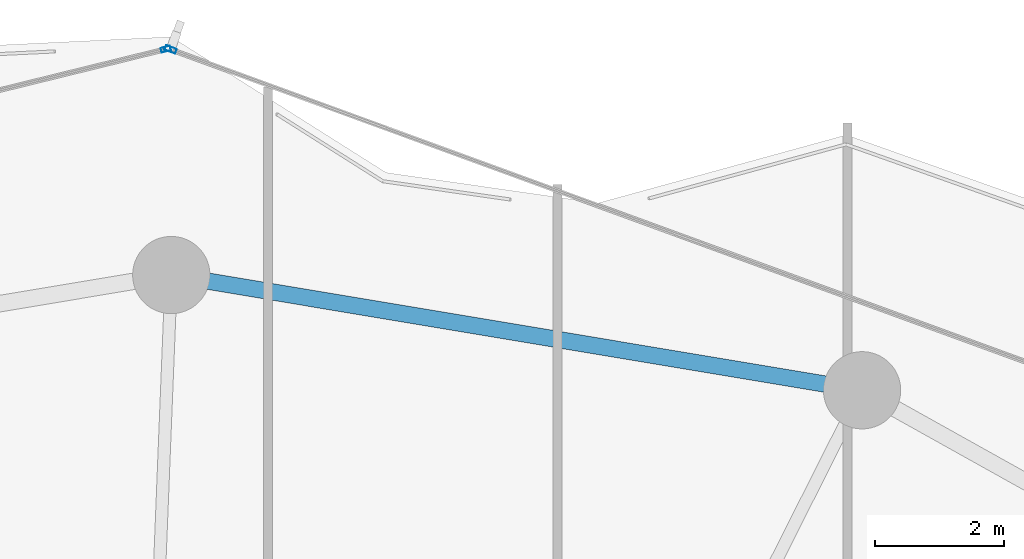
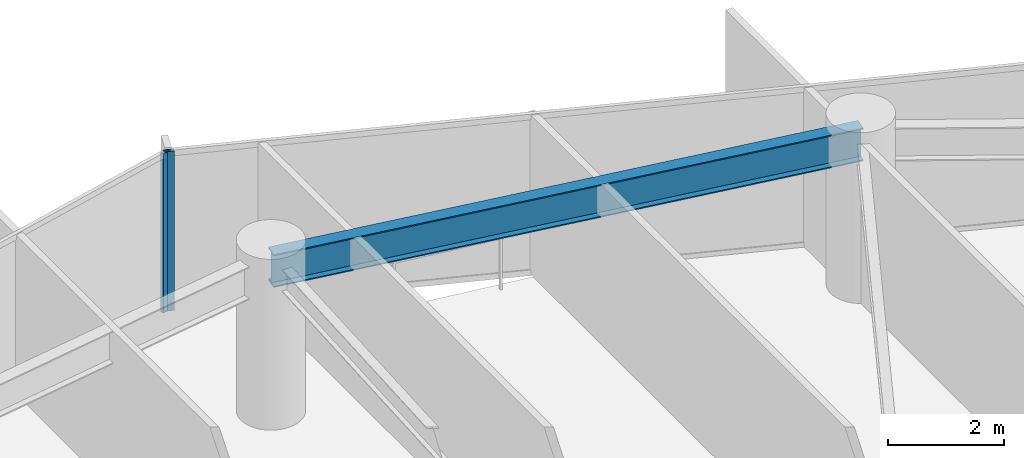
# One storey, part 19 of 28: 2 members, 1 beam, 2 elements without a shape of their own.
"""IFC4 building model written with IfcOpenShell, lengths in metres."""

from ifc_helpers import new_model, si_unit, direction, frame, origin, origin_2d, place, context, subcontext, project, spatial, hollow_rectangle, i_section, extrude, material, layer, layer_set, material_profile, profile_set, type_object, element, aggregate, save


model = new_model("IFC4")

# Units and contexts
model_context = context("Model", 3, precision=1e-05, world=origin(), true_north=direction((0.0, 1.0)))
body_context = subcontext(model_context, "Body", "Model", "MODEL_VIEW")
ifc_project = project(units=[si_unit("LENGTHUNIT", "METRE"), si_unit("AREAUNIT", "SQUARE_METRE"), si_unit("VOLUMEUNIT", "CUBIC_METRE"), si_unit("PLANEANGLEUNIT", "RADIAN"), si_unit("MASSUNIT", "GRAM", prefix="KILO")], contexts=[model_context])

# Site, building, storey
site_placement = place(None, origin())
site = spatial("IfcSite", under=ifc_project, at=site_placement, CompositionType="ELEMENT")
building_placement = place(site_placement, origin())
building = spatial("IfcBuilding", under=site, at=building_placement, Name="Kazevale Care Tower and Concert Hall", CompositionType="ELEMENT")
storey_placement = place(building_placement, frame((0.0, 0.0, 106.199951171875)))
storey = spatial("IfcBuildingStorey", under=building, at=storey_placement, Name="L27", CompositionType="ELEMENT", Elevation=106.199951171875)

# Curtain wall, member
ifc_material_1 = material(Name="Aluminium 6063-T6 and Low-E Glass", Category="aluminium")
ifc_layer_1 = layer(ifc_material_1, 0.179931640625)
ifc_layer_set_1 = layer_set([ifc_layer_1], Name="Aluminium 6063-T6 and Low-E Glass")
curtain_wall_type_1 = type_object("IfcCurtainWallType", Name="Convex Checkerboard Finned Curtain Wall CW-2", PredefinedType="NOTDEFINED", material=ifc_layer_set_1)
curtain_wall_1_placement = place(storey_placement, origin())
curtain_wall_1 = element("IfcCurtainWall", 1, at=curtain_wall_1_placement, inside=storey, type_object=curtain_wall_type_1, Name="cw:L27:f16", PredefinedType="NOTDEFINED")
ifc_material_2 = material(Name="Aluminium 6063-T6", Category="aluminium")
ifc_material_profile_1 = material_profile(ifc_material_2, hollow_rectangle(XDim=0.080078125, YDim=0.179931640625, WallThickness=0.0048828125, at=origin_2d()), Name="ALU80x180x5")
ifc_profile_set_1 = profile_set([ifc_material_profile_1], Name="Aluminium 6063-T6")
member_type_1 = type_object("IfcMemberType", Name="CW-2 Mullion ALU80x180x5", PredefinedType="MULLION", material=ifc_profile_set_1)
member_1_placement = place(storey_placement, frame((44.989501953125, 64.953369140625, 0.0), z_axis=(0.0, 0.0, 1.0), x_axis=(0.343143453498, 0.939283008641, 0.0)))
member_1 = element("IfcMember", 2, at=member_1_placement, type_object=member_type_1, Name="CW-2 mullion 1", PredefinedType="MULLION", context=body_context, shape_type="SweptSolid", body=[
    extrude(hollow_rectangle(XDim=0.080078125, YDim=0.179931640625, WallThickness=0.0048828125, at=origin_2d()), origin(), (0.0, 0.0, 1.0), 3.360107421875),
])
aggregate(curtain_wall_1, [member_1])

ifc_layer_2 = layer(ifc_material_1, 0.179931640625)
ifc_layer_set_2 = layer_set([ifc_layer_2], Name="Aluminium 6063-T6 and Low-E Glass")
curtain_wall_type_2 = type_object("IfcCurtainWallType", Name="Convex Recessed Sunroom Curtain Wall CW-3", PredefinedType="NOTDEFINED", material=ifc_layer_set_2)
curtain_wall_2_placement = place(storey_placement, origin())
curtain_wall_2 = element("IfcCurtainWall", 3, at=curtain_wall_2_placement, inside=storey, type_object=curtain_wall_type_2, Name="cw:L27:f15", PredefinedType="NOTDEFINED")
ifc_material_profile_2 = material_profile(ifc_material_2, hollow_rectangle(XDim=0.074951171875, YDim=0.14990234375, WallThickness=0.00390625, at=origin_2d()), Name="ALU75x150x4")
ifc_profile_set_2 = profile_set([ifc_material_profile_2], Name="Aluminium 6063-T6")
member_type_2 = type_object("IfcMemberType", Name="CW-3 Mullion ALU75x150x4", PredefinedType="MULLION", material=ifc_profile_set_2)
member_2_placement = place(storey_placement, frame((44.91552734375, 64.9580078125, 0.0), z_axis=(0.0, 0.0, 1.0), x_axis=(-0.239088999495, 0.970997657217, 0.0)))
member_2 = element("IfcMember", 4, at=member_2_placement, type_object=member_type_2, Name="CW-3 mullion 2", PredefinedType="MULLION", context=body_context, shape_type="SweptSolid", body=[
    extrude(hollow_rectangle(XDim=0.074951171875, YDim=0.14990234375, WallThickness=0.00390625, at=origin_2d()), origin(), (0.0, 0.0, 1.0), 3.360107421875),
])
aggregate(curtain_wall_2, [member_2])

# Beam
ifc_material_3 = material(Name="Steel ASTM A572 Gr 50", Category="steel")
ifc_material_profile_3 = material_profile(ifc_material_3, i_section(OverallWidth=0.256103515625, OverallDepth=0.693115234375, WebThickness=0.014404296875, FlangeThickness=0.023681640625, at=origin_2d()), Name="W690x170")
ifc_profile_set_3 = profile_set([ifc_material_profile_3], Name="Steel ASTM A572 Gr 50")
beam_type = type_object("IfcBeamType", Name="Waist Ring Beam W690x170", PredefinedType="BEAM", material=ifc_profile_set_3)
beam_placement = place(storey_placement, frame((55.72998046875, 59.659912109375, 3.013427734375), z_axis=(-0.986368436187, 0.164551840139, 0.0), x_axis=(-0.164551840139, -0.986368436187, 0.0)))
element("IfcBeam", 5, at=beam_placement, inside=storey, type_object=beam_type, Name="beam:L27:ring:04", PredefinedType="BEAM", context=body_context, shape_type="SweptSolid", body=[
    extrude(i_section(OverallWidth=0.256103515625, OverallDepth=0.693115234375, WebThickness=0.014404296875, FlangeThickness=0.023681640625, at=origin_2d()), origin(), (0.0, 0.0, 1.0), 10.878173828125),
])

save(model, "model.ifc")
